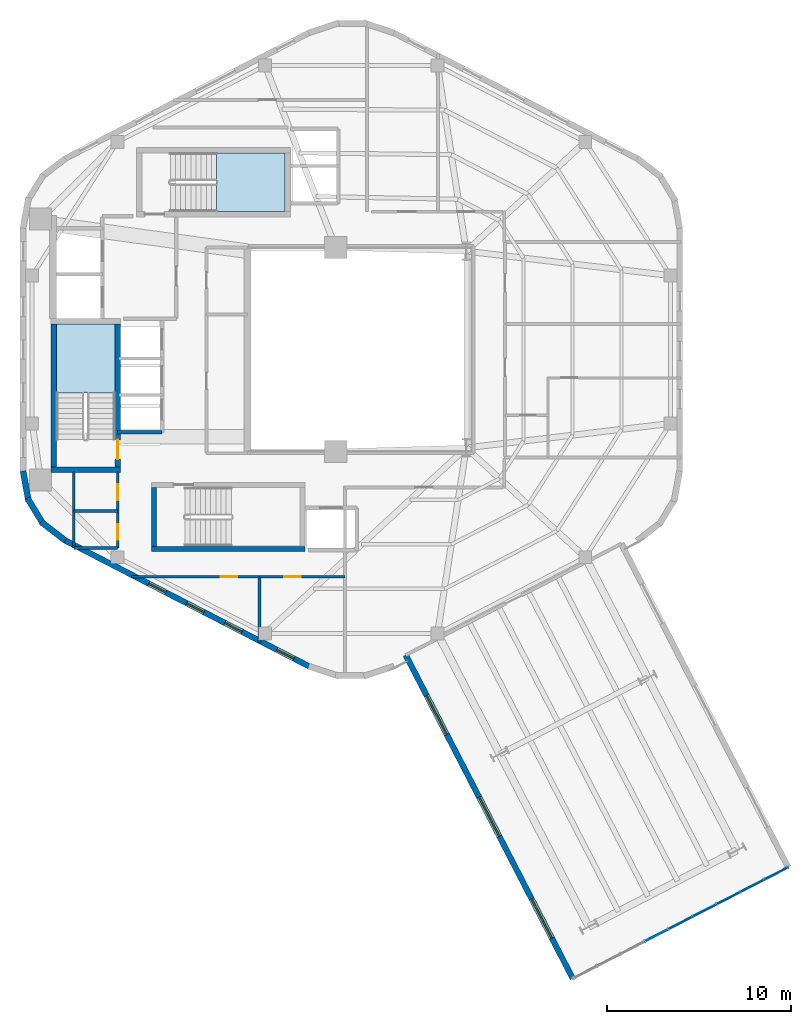
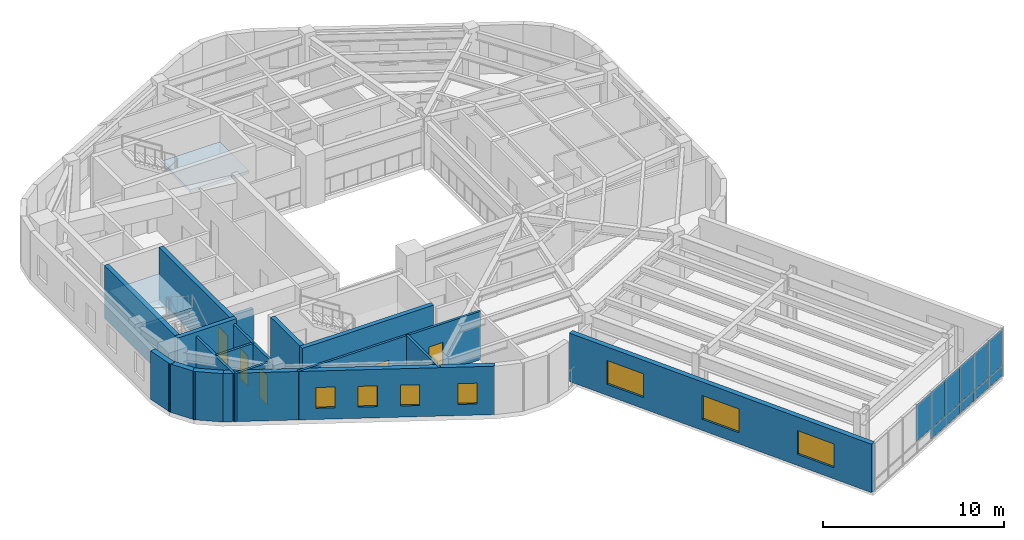
# One storey, part 6 of 10: 17 walls, 11 plates, 7 windows, 5 doors, 2 slabs, 12 openings, 3 elements without a shape of their own.
"""IFC4 building model written with IfcOpenShell, lengths in metres."""

from ifc_helpers import new_model, si_unit, direction, frame, frame_2d, origin, origin_2d, place, context, subcontext, project, spatial, polyline, rectangle, outline, extrude, material, layer, layer_set, type_object, element, fill, aggregate, save


model = new_model("IFC4")

# Units and contexts
model_context = context("Model", 3, precision=1e-05, world=origin(), true_north=direction((0.0, 1.0)))
body_context = subcontext(model_context, "Body", "Model", "MODEL_VIEW")
ifc_project = project(units=[si_unit("LENGTHUNIT", "METRE"), si_unit("AREAUNIT", "SQUARE_METRE"), si_unit("VOLUMEUNIT", "CUBIC_METRE"), si_unit("PLANEANGLEUNIT", "RADIAN"), si_unit("MASSUNIT", "GRAM", prefix="KILO"), si_unit("THERMODYNAMICTEMPERATUREUNIT", "KELVIN"), si_unit("POWERUNIT", "WATT")], contexts=[model_context])

# Site, building, storey
site_placement = place(None, origin())
site = spatial("IfcSite", under=ifc_project, at=site_placement, CompositionType="ELEMENT")
building_placement = place(site_placement, origin())
building = spatial("IfcBuilding", under=site, at=building_placement, Name="Skarre Station Tower", CompositionType="ELEMENT")
storey_placement = place(building_placement, frame((0.0, 0.0, 238.35009765625)))
storey = spatial("IfcBuildingStorey", under=building, at=storey_placement, Name="L65", CompositionType="ELEMENT", Elevation=238.35009765625)

# Curtain wall, plates
ifc_material_1 = material(Name="Thermally Broken Bronze-Anodized Aluminium & Triple Low-E Glass", Category="aluminium")
ifc_layer_1 = layer(ifc_material_1, 0.2099609375, Name="Thermally Broken Bronze-Anodized Aluminium & Triple Low-E Glass")
ifc_layer_set_1 = layer_set([ifc_layer_1], Name="Thermally Broken Bronze-Anodized Aluminium & Triple Low-E Glass")
curtain_wall_type = type_object("IfcCurtainWallType", Name="Sky-Bar Prow Structural Glazed Curtain Wall", PredefinedType="NOTDEFINED", material=ifc_layer_set_1)
curtain_wall_placement = place(storey_placement, origin())
curtain_wall = element("IfcCurtainWall", 1, at=curtain_wall_placement, inside=storey, type_object=curtain_wall_type, Name="L65 SB-5 Lakefront Prow Curtain Wall", PredefinedType="NOTDEFINED")
ifc_material_2 = material(Name="Insulated Bronze Anodized Aluminium Spandrel", Category="aluminium")
ifc_layer_2 = layer(ifc_material_2, 0.052001953125, Name="Insulated Bronze Anodized Aluminium Spandrel")
ifc_layer_set_2 = layer_set([ifc_layer_2], Name="Insulated Bronze Anodized Aluminium Spandrel")
plate_type_1 = type_object("IfcPlateType", Name="Bronze Insulated Spandrel Sheet Panel 52", PredefinedType="SHEET", material=ifc_layer_set_2)
plate_1_placement = place(storey_placement, frame((56.318115234375, -4.4970703125, 0.052001953125), z_axis=(0.0, 0.0, 1.0), x_axis=(-0.888577204547, -0.45872709922, 0.0)))
plate_1 = element("IfcPlate", 2, at=plate_1_placement, type_object=plate_type_1, Name="L65 SB-5 Lakefront Prow Curtain Wall Spandrel Panel 1-1", PredefinedType="SHEET", context=body_context, shape_type="SweptSolid", body=[
    extrude(rectangle(XDim=1.443115234375, YDim=0.052001953125, at=origin_2d()), origin(), (0.0, 0.0, 1.0), 0.68603515625),
])
plate_2_placement = place(storey_placement, frame((55.014892578125, -5.169921875, 0.052001953125), z_axis=(0.0, 0.0, 1.0), x_axis=(-0.888577204547, -0.45872709922, 0.0)))
plate_2 = element("IfcPlate", 3, at=plate_2_placement, type_object=plate_type_1, Name="L65 SB-5 Lakefront Prow Curtain Wall Spandrel Panel 2-1", PredefinedType="SHEET", context=body_context, shape_type="SweptSolid", body=[
    extrude(rectangle(XDim=1.443115234375, YDim=0.052001953125, at=origin_2d()), origin(), (0.0, 0.0, 1.0), 0.68603515625),
])
plate_3_placement = place(storey_placement, frame((53.7119140625, -5.843017578125, 0.052001953125), z_axis=(0.0, 0.0, 1.0), x_axis=(-0.888577204547, -0.45872709922, 0.0)))
plate_3 = element("IfcPlate", 4, at=plate_3_placement, type_object=plate_type_1, Name="L65 SB-5 Lakefront Prow Curtain Wall Spandrel Panel 3-1", PredefinedType="SHEET", context=body_context, shape_type="SweptSolid", body=[
    extrude(rectangle(XDim=1.443115234375, YDim=0.052001953125, at=origin_2d()), origin(), (0.0, 0.0, 1.0), 0.68603515625),
])
plate_4_placement = place(storey_placement, frame((52.408935546875, -6.51611328125, 0.052001953125), z_axis=(0.0, 0.0, 1.0), x_axis=(-0.888577204547, -0.45872709922, 0.0)))
plate_4 = element("IfcPlate", 5, at=plate_4_placement, type_object=plate_type_1, Name="L65 SB-5 Lakefront Prow Curtain Wall Spandrel Panel 4-1", PredefinedType="SHEET", context=body_context, shape_type="SweptSolid", body=[
    extrude(rectangle(XDim=1.443115234375, YDim=0.052001953125, at=origin_2d()), origin(), (0.0, 0.0, 1.0), 0.68603515625),
])
plate_5_placement = place(storey_placement, frame((51.10498046875, -7.18798828125, 0.052001953125), z_axis=(0.0, 0.0, 1.0), x_axis=(-0.888577204547, -0.45872709922, 0.0)))
plate_5 = element("IfcPlate", 6, at=plate_5_placement, type_object=plate_type_1, Name="L65 SB-5 Lakefront Prow Curtain Wall Spandrel Panel 5-1", PredefinedType="SHEET", context=body_context, shape_type="SweptSolid", body=[
    extrude(rectangle(XDim=1.443115234375, YDim=0.052001953125, at=origin_2d()), origin(), (0.0, 0.0, 1.0), 0.68603515625),
])

# Stair, slab
ifc_material_3 = material(Name="Concrete C40/50", Category="concrete")
stair_type_1 = type_object("IfcStairType", Name="Reinforced Concrete Exit Stair ST-1", PredefinedType="HALF_TURN_STAIR", material=ifc_material_3)
stair_1_placement = place(storey_placement, origin())
stair_1 = element("IfcStair", 7, at=stair_1_placement, inside=storey, type_object=stair_type_1, Name="L65 Core Exit Stair ST-1", PredefinedType="HALF_TURN_STAIR")
ifc_layer_3 = layer(ifc_material_3, 0.219970703125, Name="Concrete C40/50")
ifc_layer_set_3 = layer_set([ifc_layer_3], Name="Concrete C40/50")
slab_type = type_object("IfcSlabType", Name="Reinforced Concrete Stair & Ramp Landing 220", PredefinedType="LANDING", material=ifc_layer_set_3)
slab_1_placement = place(storey_placement, frame((0.0, 0.0, 1.574951171875)))
slab_1 = element("IfcSlab", 8, at=slab_1_placement, type_object=slab_type, Name="ST-1 landing 1", PredefinedType="LANDING", context=body_context, shape_type="SweptSolid", body=[
    extrude(outline(polyline([(20.35009765625, 21.639892578125), (20.35009765625, 25.39990234375), (17.14990234375, 25.39990234375), (17.14990234375, 21.639892578125), (20.35009765625, 21.639892578125)])), origin(), (0.0, 0.0, 1.0), 0.199951171875),
])
aggregate(stair_1, [slab_1])

stair_type_2 = type_object("IfcStairType", Name="Reinforced Concrete Exit Stair ST-3", PredefinedType="HALF_TURN_STAIR", material=ifc_material_3)
stair_2_placement = place(storey_placement, origin())
stair_2 = element("IfcStair", 9, at=stair_2_placement, inside=storey, type_object=stair_type_2, Name="L65 Core Exit Stair ST-3", PredefinedType="HALF_TURN_STAIR")
slab_2_placement = place(storey_placement, frame((0.0, 0.0, 1.574951171875)))
slab_2 = element("IfcSlab", 10, at=slab_2_placement, type_object=slab_type, Name="ST-3 landing 1", PredefinedType="LANDING", context=body_context, shape_type="SweptSolid", body=[
    extrude(outline(polyline([(25.8701171875, 31.5), (29.60009765625, 31.5), (29.60009765625, 34.699951171875), (25.8701171875, 34.699951171875), (25.8701171875, 31.5)])), origin(), (0.0, 0.0, 1.0), 0.199951171875),
])
aggregate(stair_2, [slab_2])

# Plate
ifc_material_4 = material(Name="Low-Iron Triple Insulating Glass Unit", Category="glass")
ifc_layer_4 = layer(ifc_material_4, 0.0439453125, Name="Low-Iron Triple Insulating Glass Unit")
ifc_layer_set_4 = layer_set([ifc_layer_4], Name="Low-Iron Triple Insulating Glass Unit")
plate_type_2 = type_object("IfcPlateType", Name="Triple-Glazed Vision Curtain Panel 44", PredefinedType="CURTAIN_PANEL", material=ifc_layer_set_4)
plate_6_placement = place(storey_placement, frame((56.318115234375, -4.4970703125, 0.76171875), z_axis=(0.0, 0.0, 1.0), x_axis=(-0.888577204547, -0.45872709922, 0.0)))
plate_6 = element("IfcPlate", 11, at=plate_6_placement, type_object=plate_type_2, Name="L65 SB-5 Lakefront Prow Curtain Wall Vision Panel 1-2", PredefinedType="CURTAIN_PANEL", context=body_context, shape_type="SweptSolid", body=[
    extrude(rectangle(XDim=1.443115234375, YDim=0.0439453125, at=origin_2d()), origin(), (0.0, 0.0, 1.0), 2.446044921875),
])

plate_7_placement = place(storey_placement, frame((55.014892578125, -5.169921875, 0.76171875), z_axis=(0.0, 0.0, 1.0), x_axis=(-0.888577204547, -0.45872709922, 0.0)))
plate_7 = element("IfcPlate", 12, at=plate_7_placement, type_object=plate_type_2, Name="L65 SB-5 Lakefront Prow Curtain Wall Vision Panel 2-2", PredefinedType="CURTAIN_PANEL", context=body_context, shape_type="SweptSolid", body=[
    extrude(rectangle(XDim=1.443115234375, YDim=0.0439453125, at=origin_2d()), origin(), (0.0, 0.0, 1.0), 2.446044921875),
])

plate_8_placement = place(storey_placement, frame((53.7119140625, -5.843017578125, 0.76171875), z_axis=(0.0, 0.0, 1.0), x_axis=(-0.888577204547, -0.45872709922, 0.0)))
plate_8 = element("IfcPlate", 13, at=plate_8_placement, type_object=plate_type_2, Name="L65 SB-5 Lakefront Prow Curtain Wall Vision Panel 3-2", PredefinedType="CURTAIN_PANEL", context=body_context, shape_type="SweptSolid", body=[
    extrude(rectangle(XDim=1.443115234375, YDim=0.0439453125, at=origin_2d()), origin(), (0.0, 0.0, 1.0), 2.446044921875),
])

plate_9_placement = place(storey_placement, frame((52.408935546875, -6.51611328125, 0.76171875), z_axis=(0.0, 0.0, 1.0), x_axis=(-0.888577204547, -0.45872709922, 0.0)))
plate_9 = element("IfcPlate", 14, at=plate_9_placement, type_object=plate_type_2, Name="L65 SB-5 Lakefront Prow Curtain Wall Vision Panel 4-2", PredefinedType="CURTAIN_PANEL", context=body_context, shape_type="SweptSolid", body=[
    extrude(rectangle(XDim=1.443115234375, YDim=0.0439453125, at=origin_2d()), origin(), (0.0, 0.0, 1.0), 2.446044921875),
])

plate_10_placement = place(storey_placement, frame((51.10498046875, -7.18798828125, 0.76171875), z_axis=(0.0, 0.0, 1.0), x_axis=(-0.888577204547, -0.45872709922, 0.0)))
plate_10 = element("IfcPlate", 15, at=plate_10_placement, type_object=plate_type_2, Name="L65 SB-5 Lakefront Prow Curtain Wall Vision Panel 5-2", PredefinedType="CURTAIN_PANEL", context=body_context, shape_type="SweptSolid", body=[
    extrude(rectangle(XDim=1.443115234375, YDim=0.0439453125, at=origin_2d()), origin(), (0.0, 0.0, 1.0), 2.446044921875),
])

plate_11_placement = place(storey_placement, frame((49.802001953125, -7.861083984375, 0.76171875), z_axis=(0.0, 0.0, 1.0), x_axis=(-0.888577204547, -0.45872709922, 0.0)))
plate_11 = element("IfcPlate", 16, at=plate_11_placement, type_object=plate_type_2, Name="L65 SB-5 Lakefront Prow Curtain Wall Vision Panel 6-2", PredefinedType="CURTAIN_PANEL", context=body_context, shape_type="SweptSolid", body=[
    extrude(rectangle(XDim=1.443115234375, YDim=0.0439453125, at=origin_2d()), origin(), (0.0, 0.0, 1.0), 2.446044921875),
])

aggregate(curtain_wall, [plate_1, plate_6, plate_2, plate_7, plate_3, plate_8, plate_4, plate_9, plate_5, plate_10, plate_11])

# Walls
ifc_material_5 = material(Name="Acoustic Steel-Stud Gypsum Partition", Category="steel")
ifc_layer_5 = layer(ifc_material_5, 0.14990234375, Name="Acoustic Steel-Stud Gypsum Partition")
ifc_layer_set_5 = layer_set([ifc_layer_5], Name="Acoustic Steel-Stud Gypsum Partition")
wall_type_1 = type_object("IfcWallType", Name="Fire-Rated Corridor Acoustic Partition 150", PredefinedType="PARTITIONING", material=ifc_layer_set_5)
wall_1_placement = place(storey_placement, frame((18.10009765625, 17.340087890625, 0.0), z_axis=(0.0, 0.0, 1.0), x_axis=(0.0, -1.0, 0.0)))
element("IfcWall", 17, at=wall_1_placement, inside=storey, type_object=wall_type_1, Name="L65 Interior Partition WL-PT-L65-CSVC-W", PredefinedType="PARTITIONING", context=body_context, shape_type="SweptSolid", body=[
    extrude(rectangle(XDim=4.133056640625, YDim=0.14990234375, at=frame_2d((2.06640625, 0.0))), origin(), (0.0, 0.0, 1.0), 3.260009765625),
])
wall_2_placement = place(storey_placement, frame((18.113037109375, 13.199951171875, 0.0), z_axis=(0.0, 0.0, 1.0), x_axis=(1.0, 0.0, 0.0)))
element("IfcWall", 18, at=wall_2_placement, inside=storey, type_object=wall_type_1, Name="L65 Interior Partition WL-PT-L65-CSVC-S", PredefinedType="PARTITIONING", context=body_context, shape_type="SweptSolid", body=[
    extrude(rectangle(XDim=2.376953125, YDim=0.14990234375, at=frame_2d((1.1884765625, 0.0))), origin(), (0.0, 0.0, 1.0), 3.260009765625),
])
wall_3_placement = place(storey_placement, frame((18.10009765625, 15.219970703125, 0.0), z_axis=(0.0, 0.0, 1.0), x_axis=(1.0, 0.0, 0.0)))
element("IfcWall", 19, at=wall_3_placement, inside=storey, type_object=wall_type_1, Name="L65 Interior Partition WL-PT-L65-CSVC-M", PredefinedType="PARTITIONING", context=body_context, shape_type="SweptSolid", body=[
    extrude(rectangle(XDim=2.389892578125, YDim=0.14990234375, at=frame_2d((1.19482421875, 0.0))), origin(), (0.0, 0.0, 1.0), 3.260009765625),
])

# Wall, openings, doors
wall_4_placement = place(storey_placement, frame((20.489990234375, 13.199951171875, 0.0), z_axis=(0.0, 0.0, 1.0), x_axis=(0.0, 1.0, 0.0)))
wall_4 = element("IfcWall", 20, at=wall_4_placement, inside=storey, type_object=wall_type_1, Name="L65 Interior Partition WL-PT-L65-CSVC-E", PredefinedType="PARTITIONING", context=body_context, shape_type="SweptSolid", body=[
    extrude(rectangle(XDim=4.14013671875, YDim=0.14990234375, at=frame_2d((2.070068359375, 0.0))), origin(), (0.0, 0.0, 1.0), 3.260009765625),
])
opening_1_placement = place(wall_4_placement, frame((0.449951171875, 0.0, 0.0)))
opening_1 = element("IfcOpeningElement", 21, at=opening_1_placement, cuts=wall_4, Name="Opening DR-SVC86", PredefinedType="OPENING", context=body_context, shape_type="SweptSolid", body=[
    extrude(rectangle(XDim=0.860107421875, YDim=2.0, at=frame_2d((0.43017578125, 1.0))), frame((0.0, 0.0849609375, 0.0), z_axis=(0.0, -1.0, 0.0), x_axis=(1.0, 0.0, 0.0)), (0.0, 0.0, 1.0), 0.169921875),
])
opening_2_placement = place(wall_4_placement, frame((2.60009765625, 0.0, 0.0)))
opening_2 = element("IfcOpeningElement", 22, at=opening_2_placement, cuts=wall_4, Name="Opening DR-SVC86", PredefinedType="OPENING", context=body_context, shape_type="SweptSolid", body=[
    extrude(rectangle(XDim=0.860107421875, YDim=2.0, at=frame_2d((0.43017578125, 1.0))), frame((0.0, 0.0849609375, 0.0), z_axis=(0.0, -1.0, 0.0), x_axis=(1.0, 0.0, 0.0)), (0.0, 0.0, 1.0), 0.169921875),
])
ifc_material_6 = material(Name="Powder-Coated Hollow-Metal Acoustic Fire Leaf", Category="steel")
door_type_1 = type_object("IfcDoorType", Name="Compact Riser Fire Door FD60 860x2100", OperationType="SINGLE_SWING_LEFT", PredefinedType="DOOR", material=ifc_material_6)
door_1_placement = place(opening_1_placement, origin())
door_1 = element("IfcDoor", 23, at=door_1_placement, inside=storey, type_object=door_type_1, Name="L65 Vending Room Door", OperationType="SINGLE_SWING_LEFT", OverallHeight=2.0, OverallWidth=0.860107421875, PredefinedType="DOOR", context=body_context, shape_type="SweptSolid", body=[
    extrude(rectangle(XDim=0.860107421875, YDim=2.0, at=frame_2d((0.43017578125, 1.0))), frame((0.0, 0.02490234375, 0.0), z_axis=(0.0, -1.0, 0.0), x_axis=(1.0, 0.0, 0.0)), (0.0, 0.0, 1.0), 0.050048828125),
])
fill(opening_1, door_1)
door_2_placement = place(opening_2_placement, origin())
door_2 = element("IfcDoor", 24, at=door_2_placement, inside=storey, type_object=door_type_1, Name="L65 Linen Storage Door", OperationType="SINGLE_SWING_LEFT", OverallHeight=2.0, OverallWidth=0.860107421875, PredefinedType="DOOR", context=body_context, shape_type="SweptSolid", body=[
    extrude(rectangle(XDim=0.860107421875, YDim=2.0, at=frame_2d((0.43017578125, 1.0))), frame((0.0, 0.02490234375, 0.0), z_axis=(0.0, -1.0, 0.0), x_axis=(1.0, 0.0, 0.0)), (0.0, 0.0, 1.0), 0.050048828125),
])
fill(opening_2, door_2)

# Wall
wall_5_placement = place(storey_placement, frame((28.199951171875, 8.049072265625, 0.0), z_axis=(0.0, 0.0, 1.0), x_axis=(0.0, 1.0, 0.0)))
element("IfcWall", 25, at=wall_5_placement, inside=storey, type_object=wall_type_1, Name="L65 Interior Partition WL-PT-L65-SWP-M", PredefinedType="PARTITIONING", context=body_context, shape_type="SweptSolid", body=[
    extrude(rectangle(XDim=3.5908203125, YDim=0.14990234375, at=frame_2d((1.79541015625, 0.0))), origin(), (0.0, 0.0, 1.0), 3.260009765625),
])

# Wall, openings, doors
wall_6_placement = place(storey_placement, frame((21.243896484375, 11.639892578125, 0.0), z_axis=(0.0, 0.0, 1.0), x_axis=(1.0, 0.0, 0.0)))
wall_6 = element("IfcWall", 26, at=wall_6_placement, inside=storey, type_object=wall_type_1, Name="L65 Interior Partition WL-PT-L65-SWP-N", PredefinedType="PARTITIONING", context=body_context, shape_type="SweptSolid", body=[
    extrude(rectangle(XDim=11.606201171875, YDim=0.14990234375, at=frame_2d((5.80322265625, 0.0))), origin(), (0.0, 0.0, 1.0), 3.260009765625),
])
opening_3_placement = place(wall_6_placement, frame((4.85595703125, 0.0, 0.0)))
opening_3 = element("IfcOpeningElement", 27, at=opening_3_placement, cuts=wall_6, Name="Opening DR-SVC90", PredefinedType="OPENING", context=body_context, shape_type="SweptSolid", body=[
    extrude(rectangle(XDim=0.89990234375, YDim=2.0, at=frame_2d((0.449951171875, 1.0))), frame((0.0, 0.0849609375, 0.0), z_axis=(0.0, -1.0, 0.0), x_axis=(1.0, 0.0, 0.0)), (0.0, 0.0, 1.0), 0.169921875),
])
opening_4_placement = place(wall_6_placement, frame((8.305908203125, 0.0, 0.0)))
opening_4 = element("IfcOpeningElement", 28, at=opening_4_placement, cuts=wall_6, Name="Opening DR-SVC90", PredefinedType="OPENING", context=body_context, shape_type="SweptSolid", body=[
    extrude(rectangle(XDim=0.89990234375, YDim=2.0, at=frame_2d((0.449951171875, 1.0))), frame((0.0, 0.0849609375, 0.0), z_axis=(0.0, -1.0, 0.0), x_axis=(1.0, 0.0, 0.0)), (0.0, 0.0, 1.0), 0.169921875),
])
door_type_2 = type_object("IfcDoorType", Name="Service & Riser Fire Door FD60 900x2100", OperationType="SINGLE_SWING_LEFT", PredefinedType="DOOR", material=ifc_material_6)
door_3_placement = place(opening_3_placement, origin())
door_3 = element("IfcDoor", 29, at=door_3_placement, inside=storey, type_object=door_type_2, Name="L65 Floor Public Toilets Door", OperationType="SINGLE_SWING_LEFT", OverallHeight=2.0, OverallWidth=0.89990234375, PredefinedType="DOOR", context=body_context, shape_type="SweptSolid", body=[
    extrude(rectangle(XDim=0.89990234375, YDim=2.0, at=frame_2d((0.449951171875, 1.0))), frame((0.0, 0.02490234375, 0.0), z_axis=(0.0, -1.0, 0.0), x_axis=(1.0, 0.0, 0.0)), (0.0, 0.0, 1.0), 0.050048828125),
])
fill(opening_3, door_3)
door_4_placement = place(opening_4_placement, origin())
door_4 = element("IfcDoor", 30, at=door_4_placement, inside=storey, type_object=door_type_2, Name="L65 South-West Study Door", OperationType="SINGLE_SWING_LEFT", OverallHeight=2.0, OverallWidth=0.89990234375, PredefinedType="DOOR", context=body_context, shape_type="SweptSolid", body=[
    extrude(rectangle(XDim=0.89990234375, YDim=2.0, at=frame_2d((0.449951171875, 1.0))), frame((0.0, 0.02490234375, 0.0), z_axis=(0.0, -1.0, 0.0), x_axis=(1.0, 0.0, 0.0)), (0.0, 0.0, 1.0), 0.050048828125),
])
fill(opening_4, door_4)

# Walls
ifc_material_7 = material(Name="Precast concrete C45/55", Category="concrete")
ifc_layer_6 = layer(ifc_material_7, 0.330078125, Name="Precast concrete C45/55")
ifc_layer_set_6 = layer_set([ifc_layer_6], Name="Precast concrete C45/55")
wall_type_2 = type_object("IfcWallType", Name="Nordic Rounded Corner Precast Wall 330", PredefinedType="STANDARD", material=ifc_layer_set_6)
wall_7_placement = place(storey_placement, frame((17.64697265625, 13.59912109375, 0.0), z_axis=(0.0, 0.0, 1.0), x_axis=(-0.790691856293, 0.61221433207, 0.0)))
element("IfcWall", 31, at=wall_7_placement, inside=storey, type_object=wall_type_2, Name="L65 Rounded Corner Precast Wall F3-1", PredefinedType="STANDARD", context=body_context, shape_type="SweptSolid", body=[
    extrude(rectangle(XDim=1.67578125, YDim=0.330078125, at=frame_2d((0.837890625, 0.0))), origin(), (0.0, 0.0, 1.0), 3.260009765625),
])
wall_8_placement = place(storey_placement, frame((16.447021484375, 14.485107421875, 0.0), z_axis=(0.0, 0.0, 1.0), x_axis=(-0.520325409202, 0.853968072318, 0.0)))
element("IfcWall", 32, at=wall_8_placement, inside=storey, type_object=wall_type_2, Name="L65 Rounded Corner Precast Wall F3-2", PredefinedType="STANDARD", context=body_context, shape_type="SweptSolid", body=[
    extrude(rectangle(XDim=1.677978515625, YDim=0.330078125, at=frame_2d((0.8388671875, 0.0))), origin(), (0.0, 0.0, 1.0), 3.260009765625),
])
wall_9_placement = place(storey_placement, frame((15.64111328125, 15.742919921875, 0.0), z_axis=(0.0, 0.0, 1.0), x_axis=(-0.180832605401, 0.983513888475, 0.0)))
element("IfcWall", 33, at=wall_9_placement, inside=storey, type_object=wall_type_2, Name="L65 Rounded Corner Precast Wall F3-3", PredefinedType="STANDARD", context=body_context, shape_type="SweptSolid", body=[
    extrude(rectangle(XDim=1.6767578125, YDim=0.330078125, at=frame_2d((0.83837890625, 0.0))), origin(), (0.0, 0.0, 1.0), 3.260009765625),
])

# Wall, openings, windows
ifc_layer_7 = layer(ifc_material_7, 0.31005859375, Name="Precast concrete C45/55")
ifc_layer_set_7 = layer_set([ifc_layer_7], Name="Precast concrete C45/55")
wall_type_3 = type_object("IfcWallType", Name="Nordic Upper-Zone Precast Facet Wall 310", PredefinedType="STANDARD", material=ifc_layer_set_7)
wall_10_placement = place(storey_placement, frame((30.962890625, 6.72998046875, 0.0), z_axis=(0.0, 0.0, 1.0), x_axis=(-0.888581481622, 0.458718814218, 0.0)))
wall_10 = element("IfcWall", 34, at=wall_10_placement, inside=storey, type_object=wall_type_3, Name="L65 Facet 3 Nordic Precast Masonry Wall", PredefinedType="STANDARD", context=body_context, shape_type="SweptSolid", body=[
    extrude(rectangle(XDim=15.076904296875, YDim=0.31005859375, at=frame_2d((7.53857421875, 0.0))), origin(), (0.0, 0.0, 1.0), 3.260009765625),
])
opening_5_placement = place(wall_10_placement, frame((0.998046875, 0.0, 0.75)))
opening_5 = element("IfcOpeningElement", 35, at=opening_5_placement, cuts=wall_10, Name="Opening WN-SLT", PredefinedType="OPENING", context=body_context, shape_type="SweptSolid", body=[
    extrude(rectangle(XDim=1.050048828125, YDim=1.39990234375, at=frame_2d((0.52490234375, 0.699951171875))), frame((0.0, 0.1650390625, 0.0), z_axis=(0.0, -1.0, 0.0), x_axis=(1.0, 0.0, 0.0)), (0.0, 0.0, 1.0), 0.330078125),
])
opening_6_placement = place(wall_10_placement, frame((4.176025390625, 0.0, 0.75)))
opening_6 = element("IfcOpeningElement", 36, at=opening_6_placement, cuts=wall_10, Name="Opening WN-SLT", PredefinedType="OPENING", context=body_context, shape_type="SweptSolid", body=[
    extrude(rectangle(XDim=1.050048828125, YDim=1.39990234375, at=frame_2d((0.52490234375, 0.699951171875))), frame((0.0, 0.1650390625, 0.0), z_axis=(0.0, -1.0, 0.0), x_axis=(1.0, 0.0, 0.0)), (0.0, 0.0, 1.0), 0.330078125),
])
opening_7_placement = place(wall_10_placement, frame((6.509033203125, 0.0, 0.75)))
opening_7 = element("IfcOpeningElement", 37, at=opening_7_placement, cuts=wall_10, Name="Opening WN-SLT", PredefinedType="OPENING", context=body_context, shape_type="SweptSolid", body=[
    extrude(rectangle(XDim=1.050048828125, YDim=1.39990234375, at=frame_2d((0.52490234375, 0.699951171875))), frame((0.0, 0.1650390625, 0.0), z_axis=(0.0, -1.0, 0.0), x_axis=(1.0, 0.0, 0.0)), (0.0, 0.0, 1.0), 0.330078125),
])
opening_8_placement = place(wall_10_placement, frame((8.842041015625, 0.0, 0.75)))
opening_8 = element("IfcOpeningElement", 38, at=opening_8_placement, cuts=wall_10, Name="Opening WN-SLT", PredefinedType="OPENING", context=body_context, shape_type="SweptSolid", body=[
    extrude(rectangle(XDim=1.050048828125, YDim=1.39990234375, at=frame_2d((0.52490234375, 0.699951171875))), frame((0.0, 0.1650390625, 0.0), z_axis=(0.0, -1.0, 0.0), x_axis=(1.0, 0.0, 0.0)), (0.0, 0.0, 1.0), 0.330078125),
])
ifc_material_8 = material(Name="Low-Iron Triple Glazing with Bronze Anodized Frame", Category="glass")
window_type_1 = type_object("IfcWindowType", Name="Nordic Corner Slot Window 1050x1400", PartitioningType="SINGLE_PANEL", PredefinedType="WINDOW", material=ifc_material_8)
window_1_placement = place(opening_5_placement, origin())
window_1 = element("IfcWindow", 39, at=window_1_placement, inside=storey, type_object=window_type_1, Name="L65 Facade Window WL-FAC-L65-F3-1", OverallHeight=1.39990234375, OverallWidth=1.050048828125, PartitioningType="SINGLE_PANEL", PredefinedType="WINDOW", context=body_context, shape_type="SweptSolid", body=[
    extrude(rectangle(XDim=1.050048828125, YDim=1.39990234375, at=frame_2d((0.52490234375, 0.699951171875))), frame((0.0, 0.030029296875, 0.0), z_axis=(0.0, -1.0, 0.0), x_axis=(1.0, 0.0, 0.0)), (0.0, 0.0, 1.0), 0.06005859375),
])
fill(opening_5, window_1)
window_2_placement = place(opening_6_placement, origin())
window_2 = element("IfcWindow", 40, at=window_2_placement, inside=storey, type_object=window_type_1, Name="L65 Facade Window WL-FAC-L65-F3-2", OverallHeight=1.39990234375, OverallWidth=1.050048828125, PartitioningType="SINGLE_PANEL", PredefinedType="WINDOW", context=body_context, shape_type="SweptSolid", body=[
    extrude(rectangle(XDim=1.050048828125, YDim=1.39990234375, at=frame_2d((0.52490234375, 0.699951171875))), frame((0.0, 0.030029296875, 0.0), z_axis=(0.0, -1.0, 0.0), x_axis=(1.0, 0.0, 0.0)), (0.0, 0.0, 1.0), 0.06005859375),
])
fill(opening_6, window_2)
window_3_placement = place(opening_7_placement, origin())
window_3 = element("IfcWindow", 41, at=window_3_placement, inside=storey, type_object=window_type_1, Name="L65 Facade Window WL-FAC-L65-F3-3", OverallHeight=1.39990234375, OverallWidth=1.050048828125, PartitioningType="SINGLE_PANEL", PredefinedType="WINDOW", context=body_context, shape_type="SweptSolid", body=[
    extrude(rectangle(XDim=1.050048828125, YDim=1.39990234375, at=frame_2d((0.52490234375, 0.699951171875))), frame((0.0, 0.030029296875, 0.0), z_axis=(0.0, -1.0, 0.0), x_axis=(1.0, 0.0, 0.0)), (0.0, 0.0, 1.0), 0.06005859375),
])
fill(opening_7, window_3)
window_4_placement = place(opening_8_placement, origin())
window_4 = element("IfcWindow", 42, at=window_4_placement, inside=storey, type_object=window_type_1, Name="L65 Facade Window WL-FAC-L65-F3-4", OverallHeight=1.39990234375, OverallWidth=1.050048828125, PartitioningType="SINGLE_PANEL", PredefinedType="WINDOW", context=body_context, shape_type="SweptSolid", body=[
    extrude(rectangle(XDim=1.050048828125, YDim=1.39990234375, at=frame_2d((0.52490234375, 0.699951171875))), frame((0.0, 0.030029296875, 0.0), z_axis=(0.0, -1.0, 0.0), x_axis=(1.0, 0.0, 0.0)), (0.0, 0.0, 1.0), 0.06005859375),
])
fill(opening_8, window_4)

wall_11_placement = place(storey_placement, frame((45.240966796875, -10.216064453125, 0.0), z_axis=(0.0, 0.0, 1.0), x_axis=(-0.45873211625, 0.888574614493, 0.0)))
wall_11 = element("IfcWall", 43, at=wall_11_placement, inside=storey, type_object=wall_type_3, Name="L65 SB-5 Side 1 Precast Wall", PredefinedType="STANDARD", context=body_context, shape_type="SweptSolid", body=[
    extrude(rectangle(XDim=19.80029296875, YDim=0.31005859375, at=frame_2d((9.900146484375, 0.0))), origin(), (0.0, 0.0, 1.0), 3.260009765625),
])
opening_9_placement = place(wall_11_placement, frame((2.467041015625, 0.0, 0.75)))
opening_9 = element("IfcOpeningElement", 44, at=opening_9_placement, cuts=wall_11, Name="Opening WN-Z4A", PredefinedType="OPENING", context=body_context, shape_type="SweptSolid", body=[
    extrude(rectangle(XDim=2.39990234375, YDim=1.60009765625, at=frame_2d((1.199951171875, 0.800048828125))), frame((0.0, 0.1650390625, 0.0), z_axis=(0.0, -1.0, 0.0), x_axis=(1.0, 0.0, 0.0)), (0.0, 0.0, 1.0), 0.330078125),
])
opening_10_placement = place(wall_11_placement, frame((8.699951171875, 0.0, 0.75)))
opening_10 = element("IfcOpeningElement", 45, at=opening_10_placement, cuts=wall_11, Name="Opening WN-Z4A", PredefinedType="OPENING", context=body_context, shape_type="SweptSolid", body=[
    extrude(rectangle(XDim=2.39990234375, YDim=1.60009765625, at=frame_2d((1.199951171875, 0.800048828125))), frame((0.0, 0.1650390625, 0.0), z_axis=(0.0, -1.0, 0.0), x_axis=(1.0, 0.0, 0.0)), (0.0, 0.0, 1.0), 0.330078125),
])
opening_11_placement = place(wall_11_placement, frame((14.93408203125, 0.0, 0.75)))
opening_11 = element("IfcOpeningElement", 46, at=opening_11_placement, cuts=wall_11, Name="Opening WN-Z4A", PredefinedType="OPENING", context=body_context, shape_type="SweptSolid", body=[
    extrude(rectangle(XDim=2.39990234375, YDim=1.60009765625, at=frame_2d((1.199951171875, 0.800048828125))), frame((0.0, 0.1650390625, 0.0), z_axis=(0.0, -1.0, 0.0), x_axis=(1.0, 0.0, 0.0)), (0.0, 0.0, 1.0), 0.330078125),
])
window_type_2 = type_object("IfcWindowType", Name="Nordic Crown Panorama Window 2400x1600", PartitioningType="SINGLE_PANEL", PredefinedType="WINDOW", material=ifc_material_8)
window_5_placement = place(opening_9_placement, origin())
window_5 = element("IfcWindow", 47, at=window_5_placement, inside=storey, type_object=window_type_2, Name="L65 Facade Window WL-SB-5-L65-S1-1", OverallHeight=1.60009765625, OverallWidth=2.39990234375, PartitioningType="SINGLE_PANEL", PredefinedType="WINDOW", context=body_context, shape_type="SweptSolid", body=[
    extrude(rectangle(XDim=2.39990234375, YDim=1.60009765625, at=frame_2d((1.199951171875, 0.800048828125))), frame((0.0, 0.030029296875, 0.0), z_axis=(0.0, -1.0, 0.0), x_axis=(1.0, 0.0, 0.0)), (0.0, 0.0, 1.0), 0.06005859375),
])
fill(opening_9, window_5)
window_6_placement = place(opening_10_placement, origin())
window_6 = element("IfcWindow", 48, at=window_6_placement, inside=storey, type_object=window_type_2, Name="L65 Facade Window WL-SB-5-L65-S1-2", OverallHeight=1.60009765625, OverallWidth=2.39990234375, PartitioningType="SINGLE_PANEL", PredefinedType="WINDOW", context=body_context, shape_type="SweptSolid", body=[
    extrude(rectangle(XDim=2.39990234375, YDim=1.60009765625, at=frame_2d((1.199951171875, 0.800048828125))), frame((0.0, 0.030029296875, 0.0), z_axis=(0.0, -1.0, 0.0), x_axis=(1.0, 0.0, 0.0)), (0.0, 0.0, 1.0), 0.06005859375),
])
fill(opening_10, window_6)
window_7_placement = place(opening_11_placement, origin())
window_7 = element("IfcWindow", 49, at=window_7_placement, inside=storey, type_object=window_type_2, Name="L65 Facade Window WL-SB-5-L65-S1-3", OverallHeight=1.60009765625, OverallWidth=2.39990234375, PartitioningType="SINGLE_PANEL", PredefinedType="WINDOW", context=body_context, shape_type="SweptSolid", body=[
    extrude(rectangle(XDim=2.39990234375, YDim=1.60009765625, at=frame_2d((1.199951171875, 0.800048828125))), frame((0.0, 0.030029296875, 0.0), z_axis=(0.0, -1.0, 0.0), x_axis=(1.0, 0.0, 0.0)), (0.0, 0.0, 1.0), 0.06005859375),
])
fill(opening_11, window_7)

# Walls
ifc_material_9 = material(Name="Concrete C50/60", Category="concrete")
ifc_layer_8 = layer(ifc_material_9, 0.280029296875, Name="Concrete C50/60")
ifc_layer_set_8 = layer_set([ifc_layer_8], Name="Concrete C50/60")
wall_type_4 = type_object("IfcWallType", Name="RC Core Shear Wall 280", PredefinedType="SHEAR", material=ifc_layer_set_8)
wall_12_placement = place(storey_placement, frame((16.8701171875, 17.4599609375, 0.0), z_axis=(0.0, 0.0, 1.0), x_axis=(1.0, 0.0, 0.0)))
element("IfcWall", 50, at=wall_12_placement, inside=storey, type_object=wall_type_4, Name="L65 Stair ST-1 South Shear Wall", PredefinedType="SHEAR", context=body_context, shape_type="SweptSolid", body=[
    extrude(rectangle(XDim=3.759765625, YDim=0.280029296875, at=frame_2d((1.8798828125, 0.0))), origin(), (0.0, 0.0, 1.0), 3.5498046875),
])
wall_13_placement = place(storey_placement, frame((17.010009765625, 25.39990234375, 0.0), z_axis=(0.0, 0.0, 1.0), x_axis=(0.0, -1.0, 0.0)))
element("IfcWall", 51, at=wall_13_placement, inside=storey, type_object=wall_type_4, Name="L65 Stair ST-1 West Shear Wall", PredefinedType="SHEAR", context=body_context, shape_type="SweptSolid", body=[
    extrude(rectangle(XDim=7.7998046875, YDim=0.280029296875, at=frame_2d((3.89990234375, 0.0))), origin(), (0.0, 0.0, 1.0), 3.5498046875),
])

# Wall, opening, door
wall_14_placement = place(storey_placement, frame((20.489990234375, 17.60009765625, 0.0), z_axis=(0.0, 0.0, 1.0), x_axis=(0.0, 1.0, 0.0)))
wall_14 = element("IfcWall", 52, at=wall_14_placement, inside=storey, type_object=wall_type_4, Name="L65 Stair ST-1 East Shear Wall", PredefinedType="SHEAR", context=body_context, shape_type="SweptSolid", body=[
    extrude(rectangle(XDim=7.7998046875, YDim=0.280029296875, at=frame_2d((3.89990234375, 0.0))), origin(), (0.0, 0.0, 1.0), 3.5498046875),
])
opening_12_placement = place(wall_14_placement, frame((0.43994140625, 0.0, 0.0)))
opening_12 = element("IfcOpeningElement", 53, at=opening_12_placement, cuts=wall_14, Name="Opening DR-FD90", PredefinedType="OPENING", context=body_context, shape_type="SweptSolid", body=[
    extrude(rectangle(XDim=1.050048828125, YDim=2.0, at=frame_2d((0.52490234375, 1.0))), frame((0.0, 0.14990234375, 0.0), z_axis=(0.0, -1.0, 0.0), x_axis=(1.0, 0.0, 0.0)), (0.0, 0.0, 1.0), 0.300048828125),
])
ifc_material_10 = material(Name="Fire-Rated Insulated Steel Frame & Timber Core Leaf", Category="steel")
door_type_3 = type_object("IfcDoorType", Name="Stair & FSAE Lobby Fire Door FD90 1050x2150", OperationType="SINGLE_SWING_RIGHT", PredefinedType="DOOR", material=ifc_material_10)
door_5_placement = place(opening_12_placement, origin())
door_5 = element("IfcDoor", 54, at=door_5_placement, inside=storey, type_object=door_type_3, Name="L65 Stair ST-1 Exit Door", OperationType="SINGLE_SWING_RIGHT", OverallHeight=2.0, OverallWidth=1.050048828125, PredefinedType="DOOR", context=body_context, shape_type="SweptSolid", body=[
    extrude(rectangle(XDim=1.050048828125, YDim=2.0, at=frame_2d((0.52490234375, 1.0))), frame((0.0, 0.02490234375, 0.0), z_axis=(0.0, -1.0, 0.0), x_axis=(1.0, 0.0, 0.0)), (0.0, 0.0, 1.0), 0.050048828125),
])
fill(opening_12, door_5)

# Walls
wall_15_placement = place(storey_placement, frame((22.320068359375, 13.159912109375, 0.0), z_axis=(0.0, 0.0, 1.0), x_axis=(1.0, 0.0, 0.0)))
element("IfcWall", 55, at=wall_15_placement, inside=storey, type_object=wall_type_4, Name="L65 Stair ST-2 South Shear Wall", PredefinedType="SHEAR", context=body_context, shape_type="SweptSolid", body=[
    extrude(rectangle(XDim=8.35986328125, YDim=0.280029296875, at=frame_2d((4.179931640625, 0.0))), origin(), (0.0, 0.0, 1.0), 3.5498046875),
])
wall_16_placement = place(storey_placement, frame((22.4599609375, 16.5, 0.0), z_axis=(0.0, 0.0, 1.0), x_axis=(0.0, -1.0, 0.0)))
element("IfcWall", 56, at=wall_16_placement, inside=storey, type_object=wall_type_4, Name="L65 Stair ST-2 West Shear Wall", PredefinedType="SHEAR", context=body_context, shape_type="SweptSolid", body=[
    extrude(rectangle(XDim=3.199951171875, YDim=0.280029296875, at=frame_2d((1.60009765625, 0.0))), origin(), (0.0, 0.0, 1.0), 3.5498046875),
])
ifc_material_11 = material(Name="Gypsum Concrete Shaft Assembly C30/37", Category="concrete")
ifc_layer_9 = layer(ifc_material_11, 0.199951171875, Name="Gypsum Concrete Shaft Assembly C30/37")
ifc_layer_set_9 = layer_set([ifc_layer_9], Name="Gypsum Concrete Shaft Assembly C30/37")
wall_type_5 = type_object("IfcWallType", Name="Shaft & Core Fire Partition 200", PredefinedType="PARTITIONING", material=ifc_layer_set_9)
wall_17_placement = place(storey_placement, frame((20.489990234375, 19.5, 0.0), z_axis=(0.0, 0.0, 1.0), x_axis=(1.0, 0.0, 0.0)))
element("IfcWall", 57, at=wall_17_placement, inside=storey, type_object=wall_type_5, Name="L65 Interior Partition WL-PT-L65-B3-S", PredefinedType="PARTITIONING", context=body_context, shape_type="SweptSolid", body=[
    extrude(rectangle(XDim=2.409912109375, YDim=0.199951171875, at=frame_2d((1.205078125, 0.0))), origin(), (0.0, 0.0, 1.0), 2.159912109375),
])

save(model, "model.ifc")
